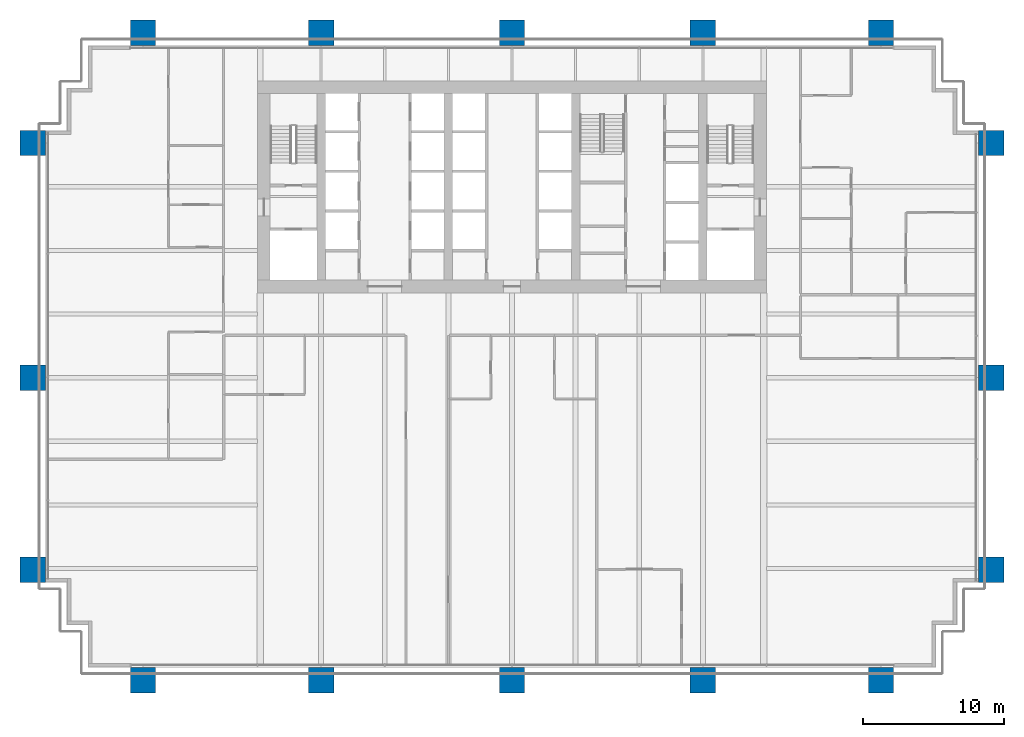
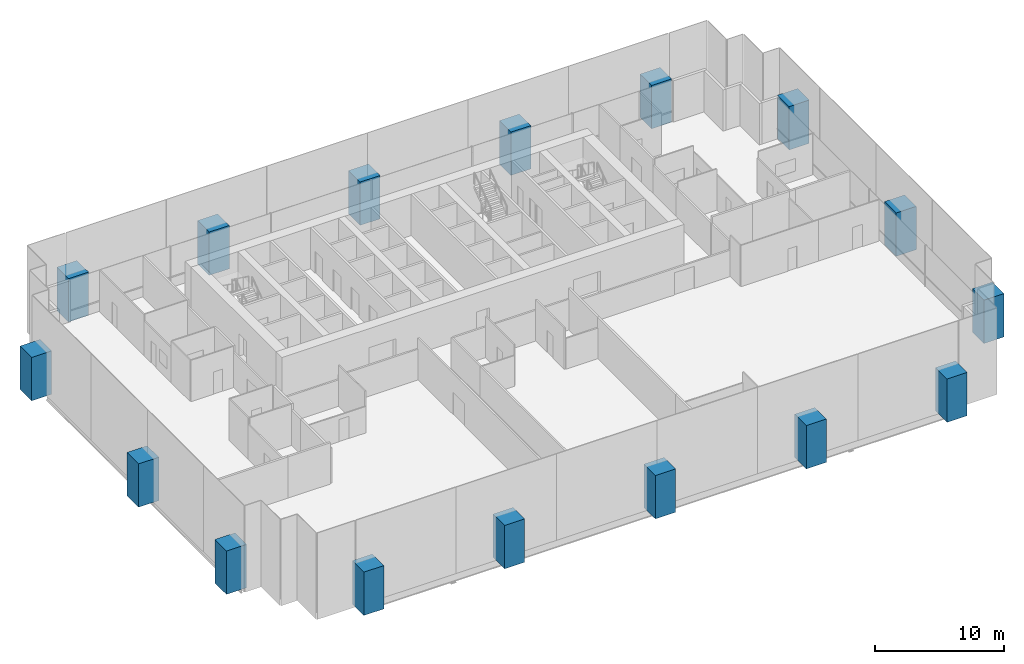
# One storey, part 1 of 17: 16 columns.
"""IFC4 building model written with IfcOpenShell, lengths in metres."""

from ifc_helpers import new_model, si_unit, direction, frame, origin, origin_2d, place, context, subcontext, project, spatial, rectangle, extrude, material, material_profile, profile_set, type_object, element, save


model = new_model("IFC4")

# Units and contexts
model_context = context("Model", 3, precision=1e-05, world=origin(), true_north=direction((0.0, 1.0)))
body_context = subcontext(model_context, "Body", "Model", "MODEL_VIEW")
ifc_project = project(units=[si_unit("LENGTHUNIT", "METRE"), si_unit("AREAUNIT", "SQUARE_METRE"), si_unit("VOLUMEUNIT", "CUBIC_METRE"), si_unit("PLANEANGLEUNIT", "RADIAN"), si_unit("MASSUNIT", "GRAM", prefix="KILO")], contexts=[model_context])

# Site, building, storey
site_placement = place(None, origin())
site = spatial("IfcSite", under=ifc_project, at=site_placement, CompositionType="ELEMENT")
building_placement = place(site_placement, origin())
building = spatial("IfcBuilding", under=site, at=building_placement, Name="Rattan Terrace Tower", CompositionType="ELEMENT")
storey_placement = place(building_placement, frame((0.0, 0.0, 44.699951171875)))
storey = spatial("IfcBuildingStorey", under=building, at=storey_placement, Name="L09", CompositionType="ELEMENT", Elevation=44.699951171875)

# Columns
ifc_material = material(Name="Concrete C60/75", Category="concrete")
ifc_material_profile = material_profile(ifc_material, rectangle(XDim=1.800048828125, YDim=1.800048828125, at=origin_2d()), Name="CFT 1800x1800")
ifc_profile_set = profile_set([ifc_material_profile], Name="Concrete C60/75")
column_type = type_object("IfcColumnType", Name="Frame exoskeleton column CFT 1800x1800", PredefinedType="COLUMN", material=ifc_profile_set)
for number, where, z_axis, x_axis, name in (
    (1, (-26.10009765625, -34.89990234375, -0.199951171875), (0.0, 0.0, 1.0), (1.0, 0.0, 0.0), "exo-L09-001"),
    (2, (-13.5, -34.89990234375, -0.199951171875), (0.0, 0.0, 1.0), (1.0, 0.0, 0.0), "exo-L09-002"),
    (3, (0.0, -34.89990234375, -0.199951171875), (0.0, 0.0, 1.0), (1.0, 0.0, 0.0), "exo-L09-003"),
    (4, (13.5, -34.89990234375, -0.199951171875), (0.0, 0.0, 1.0), (1.0, 0.0, 0.0), "exo-L09-004"),
    (5, (26.10009765625, -34.89990234375, -0.199951171875), (0.0, 0.0, 1.0), (1.0, 0.0, 0.0), "exo-L09-005"),
    (6, (-33.89990234375, -27.10009765625, -0.199951171875), (0.0, 0.0, 1.0), (0.0, 1.0, 0.0), "exo-L09-006"),
    (7, (33.89990234375, -27.10009765625, -0.199951171875), (0.0, 0.0, 1.0), (0.0, 1.0, 0.0), "exo-L09-007"),
    (8, (-33.89990234375, -13.5, -0.199951171875), (0.0, 0.0, 1.0), (0.0, 1.0, 0.0), "exo-L09-008"),
    (9, (33.89990234375, -13.5, -0.199951171875), (0.0, 0.0, 1.0), (0.0, 1.0, 0.0), "exo-L09-009"),
    (10, (-33.89990234375, 3.10009765625, -0.199951171875), (0.0, 0.0, 1.0), (0.0, 1.0, 0.0), "exo-L09-010"),
    (11, (33.89990234375, 3.10009765625, -0.199951171875), (0.0, 0.0, 1.0), (0.0, 1.0, 0.0), "exo-L09-011"),
    (12, (-26.10009765625, 10.89990234375, -0.199951171875), (0.0, 0.0, 1.0), (1.0, 0.0, 0.0), "exo-L09-012"),
    (13, (-13.5, 10.89990234375, -0.199951171875), (0.0, 0.0, 1.0), (1.0, 0.0, 0.0), "exo-L09-013"),
    (14, (0.0, 10.89990234375, -0.199951171875), (0.0, 0.0, 1.0), (1.0, 0.0, 0.0), "exo-L09-014"),
    (15, (13.5, 10.89990234375, -0.199951171875), (0.0, 0.0, 1.0), (1.0, 0.0, 0.0), "exo-L09-015"),
    (16, (26.10009765625, 10.89990234375, -0.199951171875), (0.0, 0.0, 1.0), (1.0, 0.0, 0.0), "exo-L09-016"),
):
    element("IfcColumn", number, at=place(storey_placement, frame(where, z_axis=z_axis, x_axis=x_axis)), inside=storey, type_object=column_type, Name=name, PredefinedType="COLUMN", context=body_context, shape_type="SweptSolid", body=[
        extrude(rectangle(XDim=1.800048828125, YDim=1.800048828125, at=origin_2d()), origin(), (0.0, 0.0, 1.0), 4.10009765625),
    ])

save(model, "model.ifc")
